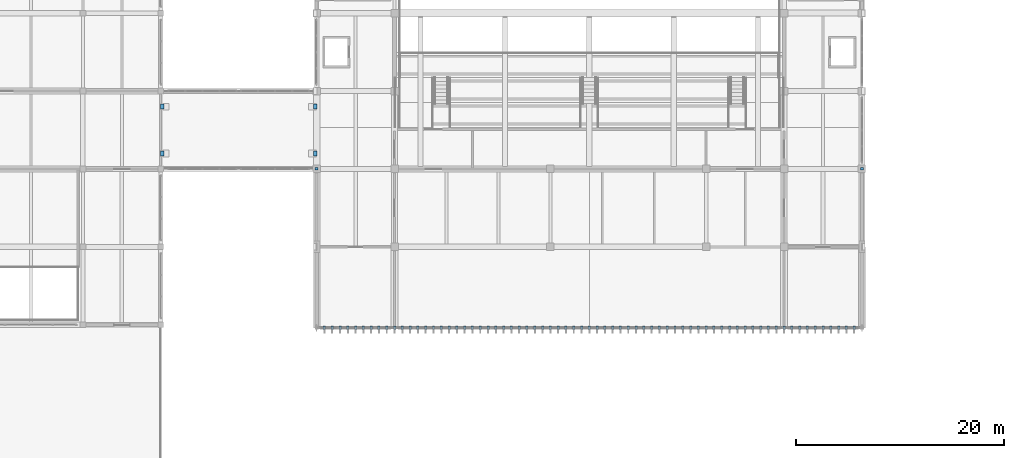
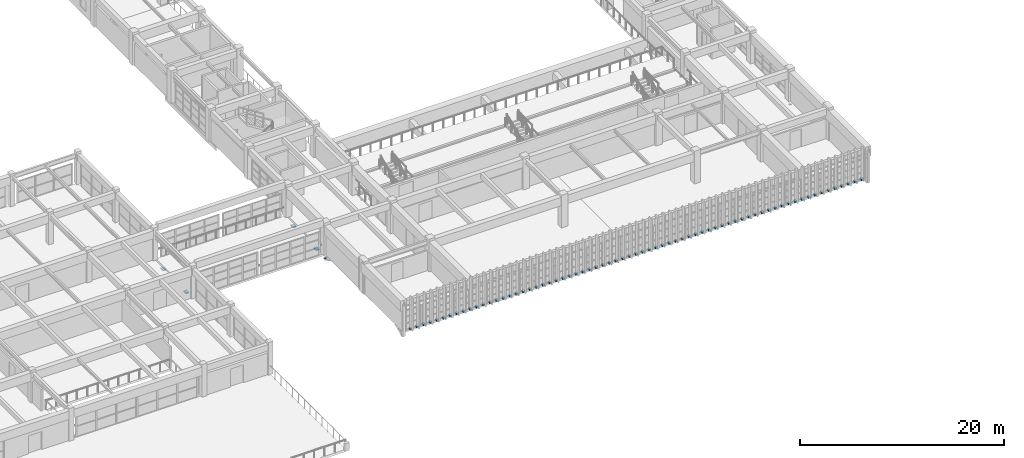
# One storey, part 84 of 101: 75 discrete accessories.
"""IFC4 building model written with IfcOpenShell, lengths in metres."""

import ifcopenshell
import ifcopenshell.guid

model = None  # the IFC model being written
_history = None  # IfcOwnerHistory: only IFC2X3 demands one
_inside = {}  # id of a spatial element -> (the spatial element, [elements in it])
_under = {}  # id of a project, library or spatial element -> (it, [spatial elements below it])
_declared = {}  # id of a project -> (the project, [libraries it declares])
_typed = {}  # id of a type object -> (the type object, [elements of that type])
_made_of = {}  # id of a material, layer set ... -> (it, [elements and type objects made of it])


def new_model(schema):
    """Start an empty IFC model of exactly this schema.

    Asked for "IFC4X3", IfcOpenShell would pick the latest addendum, in which some entities
    have other attributes; the version numbers below select the first issue.
    IFC2X3 requires an IfcOwnerHistory on every rooted entity: one is made here for all.
    """
    global model, _history
    if schema == "IFC4X3":
        model = ifcopenshell.file(schema_version=(4, 3, 0, 0))
    else:
        model = ifcopenshell.file(schema=schema)
    _inside.clear()
    _under.clear()
    _declared.clear()
    _typed.clear()
    _made_of.clear()
    _history = None
    if model.schema == "IFC2X3":
        org = make("IfcOrganization", Name="unknown")
        user = make(
            "IfcPersonAndOrganization",
            ThePerson=make("IfcPerson", FamilyName="unknown"),
            TheOrganization=org,
        )
        app = make(
            "IfcApplication",
            ApplicationDeveloper=org,
            Version="unknown",
            ApplicationFullName="unknown",
            ApplicationIdentifier="unknown",
        )
        _history = make(
            "IfcOwnerHistory",
            OwningUser=user,
            OwningApplication=app,
            ChangeAction="ADDED",
            CreationDate=0,
        )
    return model


def make(cls, **values):
    """One entity of the class cls with the attributes given. An attribute that is None is left unset."""
    return model.create_entity(
        cls, **{name: value for name, value in values.items() if value is not None}
    )


def rooted(cls, **values):
    """An entity with a GlobalId (a new one), such as an element, a storey or a relation."""
    return make(cls, GlobalId=ifcopenshell.guid.new(), OwnerHistory=_history, **values)


def si_unit(unit_type, name, prefix=None):
    """IfcSIUnit, for example si_unit("LENGTHUNIT", "METRE", prefix="MILLI")."""
    return make("IfcSIUnit", UnitType=unit_type, Prefix=prefix, Name=name)


def assignment(units):
    """IfcUnitAssignment: the units of a project."""
    return None if units is None else make("IfcUnitAssignment", Units=units)


def point(xyz):
    """IfcCartesianPoint."""
    return None if xyz is None else make("IfcCartesianPoint", Coordinates=xyz)


def direction(xyz):
    """IfcDirection."""
    return None if xyz is None else make("IfcDirection", DirectionRatios=xyz)


def frame(location, z_axis=None, x_axis=None):
    """IfcAxis2Placement3D, a coordinate frame: its origin and axes. An axis left out is left unset."""
    return make(
        "IfcAxis2Placement3D",
        Location=point(location),
        Axis=direction(z_axis),
        RefDirection=direction(x_axis),
    )


def frame_2d(location, x_axis=None):
    """IfcAxis2Placement2D, a coordinate frame in the plane: its origin and x axis."""
    return make(
        "IfcAxis2Placement2D", Location=point(location), RefDirection=direction(x_axis)
    )


def origin():
    """The frame at (0, 0, 0) with its axes left unset."""
    return frame((0.0, 0.0, 0.0))


def origin_2d():
    """The frame at (0, 0) in the plane with its x axis left unset."""
    return frame_2d((0.0, 0.0))


def place(relative_to, where):
    """IfcLocalPlacement: puts the frame where relative to a parent placement (None: the world)."""
    return make(
        "IfcLocalPlacement", PlacementRelTo=relative_to, RelativePlacement=where
    )


def context(
    kind, dimensions, precision=None, world=None, true_north=None, identifier=None
):
    """IfcGeometricRepresentationContext, for example the 3D "Model" context."""
    return make(
        "IfcGeometricRepresentationContext",
        ContextIdentifier=identifier,
        ContextType=kind,
        CoordinateSpaceDimension=dimensions,
        Precision=precision,
        WorldCoordinateSystem=world,
        TrueNorth=true_north,
    )


def subcontext(parent, identifier, kind, view, scale=None):
    """IfcGeometricRepresentationSubContext, for example "Body" below "Model"."""
    return make(
        "IfcGeometricRepresentationSubContext",
        ContextIdentifier=identifier,
        ContextType=kind,
        ParentContext=parent,
        TargetScale=scale,
        TargetView=view,
    )


def project(units=None, contexts=None):
    """IfcProject with its units and contexts."""
    return rooted(
        "IfcProject",
        Name="project",
        RepresentationContexts=contexts,
        UnitsInContext=assignment(units),
    )


def spatial(cls, under=None, at=None, **own):
    """A site, building, storey or space (cls), placed at a placement, below another one or the project."""
    s = rooted(cls, ObjectPlacement=at, **own)
    if under is not None:
        _under.setdefault(under.id(), (under, []))[1].append(s)
    return s


def profile(cls, at=None, kind="AREA", **sizes):
    """A parametric profile (cls). Its sizes go by their IFC names, for example OverallWidth=200.0."""
    return make(cls, ProfileType=kind, Position=at, **sizes)


def rectangle(**sizes):
    """IfcRectangleProfileDef."""
    return profile("IfcRectangleProfileDef", **sizes)


def extrude(swept, where, along, depth):
    """IfcExtrudedAreaSolid: the profile swept, set in the frame where, extruded along a direction by depth."""
    return make(
        "IfcExtrudedAreaSolid",
        SweptArea=swept,
        Position=where,
        ExtrudedDirection=direction(along),
        Depth=depth,
    )


def shape(context_of_items, identifier, shape_type, items):
    """IfcShapeRepresentation: the items that make up one representation, for example the "Body"."""
    return make(
        "IfcShapeRepresentation",
        ContextOfItems=context_of_items,
        RepresentationIdentifier=identifier,
        RepresentationType=shape_type,
        Items=items,
    )


def material(Name=None, Category=None):
    """IfcMaterial."""
    return make("IfcMaterial", Name=Name, Category=Category)


def made_of(thing, what):
    """Note that an element or type object is made of a material, layer set ...; save() writes the relation."""
    if what is not None:
        _made_of.setdefault(what.id(), (what, []))[1].append(thing)
    return thing


def type_object(cls, material=None, **own):
    """A type object (cls), such as IfcWallType, which elements share."""
    return made_of(rooted(cls, **own), material)


def element(
    cls,
    number,
    at=None,
    inside=None,
    cuts=None,
    type_object=None,
    material=None,
    context=None,
    identifier="Body",
    shape_type=None,
    held_by="IfcProductDefinitionShape",
    body=None,
    shapes=None,
    **own,
):
    """One element of the class cls, such as IfcWall. Its Tag is "e" and its number.

    at: its placement. inside: the storey or other place that contains it. cuts: it is an
    opening in that element (IfcRelVoidsElement). A single representation is given by context,
    identifier, shape_type and body (its items); several are given by shapes. held_by: the class
    of the entity that holds the representations. save() writes the other relations.
    """
    e = rooted(cls, Tag="e%d" % number, ObjectPlacement=at, **own)
    if body is not None:
        shapes = [shape(context, identifier, shape_type, body)]
    if shapes is not None:
        e.Representation = make(held_by, Representations=shapes)
    if inside is not None:
        _inside.setdefault(inside.id(), (inside, []))[1].append(e)
    if cuts is not None:
        rooted(
            "IfcRelVoidsElement", RelatingBuildingElement=cuts, RelatedOpeningElement=e
        )
    if type_object is not None:
        _typed.setdefault(type_object.id(), (type_object, []))[1].append(e)
    return made_of(e, material)


def aggregate(whole, parts):
    """IfcRelAggregates: a whole, such as a stair, and the parts it consists of."""
    return rooted("IfcRelAggregates", RelatingObject=whole, RelatedObjects=parts)


def save(model, path):
    """Write the relations noted so far, then the file.

    IfcRelAggregates (storeys below a building ...), IfcRelContainedInSpatialStructure (elements
    in a storey), IfcRelDefinesByType, IfcRelAssociatesMaterial and IfcRelDeclares: one each for
    every whole, place, type object, material and project.
    """
    for whole, parts in _under.values():
        aggregate(whole, parts)
    for where, things in _inside.values():
        rooted(
            "IfcRelContainedInSpatialStructure",
            RelatedElements=things,
            RelatingStructure=where,
        )
    for kind, things in _typed.values():
        rooted("IfcRelDefinesByType", RelatedObjects=things, RelatingType=kind)
    for what, things in _made_of.values():
        rooted("IfcRelAssociatesMaterial", RelatedObjects=things, RelatingMaterial=what)
    for by, libraries in _declared.values():
        rooted("IfcRelDeclares", RelatingContext=by, RelatedDefinitions=libraries)
    model.write(path)


model = new_model("IFC4")

# Units and contexts
model_context = context("Model", 3, precision=1e-05, world=origin(), true_north=direction((0.0, 1.0)))
body_context = subcontext(model_context, "Body", "Model", "MODEL_VIEW")
ifc_project = project(units=[si_unit("LENGTHUNIT", "METRE"), si_unit("AREAUNIT", "SQUARE_METRE"), si_unit("VOLUMEUNIT", "CUBIC_METRE"), si_unit("PLANEANGLEUNIT", "RADIAN"), si_unit("MASSUNIT", "GRAM", prefix="KILO")], contexts=[model_context])

# Site, building, storey
site_placement = place(None, origin())
site = spatial("IfcSite", under=ifc_project, at=site_placement, CompositionType="ELEMENT")
building_placement = place(site_placement, origin())
building = spatial("IfcBuilding", under=site, at=building_placement, Name="Qasida Concert Hall", CompositionType="ELEMENT")
storey_placement = place(building_placement, frame((0.0, 0.0, 13.199951171875)))
storey = spatial("IfcBuildingStorey", under=building, at=storey_placement, Name="L03", CompositionType="ELEMENT", Elevation=13.199951171875)

# Discrete accessories
ifc_material_1 = material(Name="Steel S355J2", Category="steel")
discrete_accessory_type_1 = type_object("IfcDiscreteAccessoryType", Name="ACC-CONN-S355", PredefinedType="BRACKET", material=ifc_material_1)
for number, where, z_axis, x_axis, name in (
    (1, (52.5, 30.0, -0.61181640625), (0.0, 0.0, 1.0), (1.0, 0.0, 0.0), "Steel brace/strut end connection CN-0004"),
    (2, (105.0, 30.0, -0.61181640625), (0.0, 0.0, 1.0), (1.0, 0.0, 0.0), "Steel brace/strut end connection CN-0010"),
):
    element("IfcDiscreteAccessory", number, at=place(storey_placement, frame(where, z_axis=z_axis, x_axis=x_axis)), inside=storey, type_object=discrete_accessory_type_1, Name=name, PredefinedType="BRACKET", context=body_context, shape_type="SweptSolid", body=[
        extrude(rectangle(XDim=0.280029296875, YDim=0.239990234375, at=origin_2d()), origin(), (0.0, 0.0, 1.0), 0.02392578125),
    ])
ifc_material_2 = material(Name="Stainless steel EN 1.4401", Category="steel")
discrete_accessory_type_2 = type_object("IfcDiscreteAccessoryType", Name="ACC-FIN-BRK", PredefinedType="BRACKET", material=ifc_material_2)
for number, where, z_axis, x_axis, name in (
    (3, (53.25, 14.699951171875, -0.08984375), (0.0, 0.0, 1.0), (1.0, 0.0, 0.0), "Facade fin anchor bracket FB-001"),
    (4, (54.0, 14.699951171875, -0.08984375), (0.0, 0.0, 1.0), (1.0, 0.0, 0.0), "Facade fin anchor bracket FB-002"),
    (5, (54.75, 14.699951171875, -0.08984375), (0.0, 0.0, 1.0), (1.0, 0.0, 0.0), "Facade fin anchor bracket FB-003"),
    (6, (55.5, 14.699951171875, -0.08984375), (0.0, 0.0, 1.0), (1.0, 0.0, 0.0), "Facade fin anchor bracket FB-004"),
    (7, (56.25, 14.699951171875, -0.08984375), (0.0, 0.0, 1.0), (1.0, 0.0, 0.0), "Facade fin anchor bracket FB-005"),
    (8, (57.0, 14.699951171875, -0.08984375), (0.0, 0.0, 1.0), (1.0, 0.0, 0.0), "Facade fin anchor bracket FB-006"),
    (9, (57.75, 14.699951171875, -0.08984375), (0.0, 0.0, 1.0), (1.0, 0.0, 0.0), "Facade fin anchor bracket FB-007"),
    (10, (58.5, 14.699951171875, -0.08984375), (0.0, 0.0, 1.0), (1.0, 0.0, 0.0), "Facade fin anchor bracket FB-008"),
    (11, (59.25, 14.699951171875, -0.08984375), (0.0, 0.0, 1.0), (1.0, 0.0, 0.0), "Facade fin anchor bracket FB-009"),
    (12, (60.0, 14.699951171875, -0.08984375), (0.0, 0.0, 1.0), (1.0, 0.0, 0.0), "Facade fin anchor bracket FB-010"),
    (13, (60.75, 14.699951171875, -0.08984375), (0.0, 0.0, 1.0), (1.0, 0.0, 0.0), "Facade fin anchor bracket FB-011"),
    (14, (61.5, 14.699951171875, -0.08984375), (0.0, 0.0, 1.0), (1.0, 0.0, 0.0), "Facade fin anchor bracket FB-012"),
    (15, (62.25, 14.699951171875, -0.08984375), (0.0, 0.0, 1.0), (1.0, 0.0, 0.0), "Facade fin anchor bracket FB-013"),
    (16, (63.0, 14.699951171875, -0.08984375), (0.0, 0.0, 1.0), (1.0, 0.0, 0.0), "Facade fin anchor bracket FB-014"),
    (17, (63.75, 14.699951171875, -0.08984375), (0.0, 0.0, 1.0), (1.0, 0.0, 0.0), "Facade fin anchor bracket FB-015"),
    (18, (64.5, 14.699951171875, -0.08984375), (0.0, 0.0, 1.0), (1.0, 0.0, 0.0), "Facade fin anchor bracket FB-016"),
    (19, (65.25, 14.699951171875, -0.08984375), (0.0, 0.0, 1.0), (1.0, 0.0, 0.0), "Facade fin anchor bracket FB-017"),
    (20, (66.0, 14.699951171875, -0.08984375), (0.0, 0.0, 1.0), (1.0, 0.0, 0.0), "Facade fin anchor bracket FB-018"),
    (21, (66.75, 14.699951171875, -0.08984375), (0.0, 0.0, 1.0), (1.0, 0.0, 0.0), "Facade fin anchor bracket FB-019"),
    (22, (67.5, 14.699951171875, -0.08984375), (0.0, 0.0, 1.0), (1.0, 0.0, 0.0), "Facade fin anchor bracket FB-020"),
    (23, (68.25, 14.699951171875, -0.08984375), (0.0, 0.0, 1.0), (1.0, 0.0, 0.0), "Facade fin anchor bracket FB-021"),
    (24, (69.0, 14.699951171875, -0.08984375), (0.0, 0.0, 1.0), (1.0, 0.0, 0.0), "Facade fin anchor bracket FB-022"),
    (25, (69.75, 14.699951171875, -0.08984375), (0.0, 0.0, 1.0), (1.0, 0.0, 0.0), "Facade fin anchor bracket FB-023"),
    (26, (70.5, 14.699951171875, -0.08984375), (0.0, 0.0, 1.0), (1.0, 0.0, 0.0), "Facade fin anchor bracket FB-024"),
    (27, (71.25, 14.699951171875, -0.08984375), (0.0, 0.0, 1.0), (1.0, 0.0, 0.0), "Facade fin anchor bracket FB-025"),
    (28, (72.0, 14.699951171875, -0.08984375), (0.0, 0.0, 1.0), (1.0, 0.0, 0.0), "Facade fin anchor bracket FB-026"),
    (29, (72.75, 14.699951171875, -0.08984375), (0.0, 0.0, 1.0), (1.0, 0.0, 0.0), "Facade fin anchor bracket FB-027"),
    (30, (73.5, 14.699951171875, -0.08984375), (0.0, 0.0, 1.0), (1.0, 0.0, 0.0), "Facade fin anchor bracket FB-028"),
    (31, (74.25, 14.699951171875, -0.08984375), (0.0, 0.0, 1.0), (1.0, 0.0, 0.0), "Facade fin anchor bracket FB-029"),
    (32, (75.0, 14.699951171875, -0.08984375), (0.0, 0.0, 1.0), (1.0, 0.0, 0.0), "Facade fin anchor bracket FB-030"),
    (33, (75.75, 14.699951171875, -0.08984375), (0.0, 0.0, 1.0), (1.0, 0.0, 0.0), "Facade fin anchor bracket FB-031"),
    (34, (76.5, 14.699951171875, -0.08984375), (0.0, 0.0, 1.0), (1.0, 0.0, 0.0), "Facade fin anchor bracket FB-032"),
    (35, (77.25, 14.699951171875, -0.08984375), (0.0, 0.0, 1.0), (1.0, 0.0, 0.0), "Facade fin anchor bracket FB-033"),
    (36, (78.0, 14.699951171875, -0.08984375), (0.0, 0.0, 1.0), (1.0, 0.0, 0.0), "Facade fin anchor bracket FB-034"),
    (37, (78.75, 14.699951171875, -0.08984375), (0.0, 0.0, 1.0), (1.0, 0.0, 0.0), "Facade fin anchor bracket FB-035"),
    (38, (79.5, 14.699951171875, -0.08984375), (0.0, 0.0, 1.0), (1.0, 0.0, 0.0), "Facade fin anchor bracket FB-036"),
    (39, (80.25, 14.699951171875, -0.08984375), (0.0, 0.0, 1.0), (1.0, 0.0, 0.0), "Facade fin anchor bracket FB-037"),
    (40, (81.0, 14.699951171875, -0.08984375), (0.0, 0.0, 1.0), (1.0, 0.0, 0.0), "Facade fin anchor bracket FB-038"),
    (41, (81.75, 14.699951171875, -0.08984375), (0.0, 0.0, 1.0), (1.0, 0.0, 0.0), "Facade fin anchor bracket FB-039"),
    (42, (82.5, 14.699951171875, -0.08984375), (0.0, 0.0, 1.0), (1.0, 0.0, 0.0), "Facade fin anchor bracket FB-040"),
    (43, (83.25, 14.699951171875, -0.08984375), (0.0, 0.0, 1.0), (1.0, 0.0, 0.0), "Facade fin anchor bracket FB-041"),
    (44, (84.0, 14.699951171875, -0.08984375), (0.0, 0.0, 1.0), (1.0, 0.0, 0.0), "Facade fin anchor bracket FB-042"),
    (45, (84.75, 14.699951171875, -0.08984375), (0.0, 0.0, 1.0), (1.0, 0.0, 0.0), "Facade fin anchor bracket FB-043"),
    (46, (85.5, 14.699951171875, -0.08984375), (0.0, 0.0, 1.0), (1.0, 0.0, 0.0), "Facade fin anchor bracket FB-044"),
    (47, (86.25, 14.699951171875, -0.08984375), (0.0, 0.0, 1.0), (1.0, 0.0, 0.0), "Facade fin anchor bracket FB-045"),
    (48, (87.0, 14.699951171875, -0.08984375), (0.0, 0.0, 1.0), (1.0, 0.0, 0.0), "Facade fin anchor bracket FB-046"),
    (49, (87.75, 14.699951171875, -0.08984375), (0.0, 0.0, 1.0), (1.0, 0.0, 0.0), "Facade fin anchor bracket FB-047"),
    (50, (88.5, 14.699951171875, -0.08984375), (0.0, 0.0, 1.0), (1.0, 0.0, 0.0), "Facade fin anchor bracket FB-048"),
    (51, (89.25, 14.699951171875, -0.08984375), (0.0, 0.0, 1.0), (1.0, 0.0, 0.0), "Facade fin anchor bracket FB-049"),
    (52, (90.0, 14.699951171875, -0.08984375), (0.0, 0.0, 1.0), (1.0, 0.0, 0.0), "Facade fin anchor bracket FB-050"),
    (53, (90.75, 14.699951171875, -0.08984375), (0.0, 0.0, 1.0), (1.0, 0.0, 0.0), "Facade fin anchor bracket FB-051"),
    (54, (91.5, 14.699951171875, -0.08984375), (0.0, 0.0, 1.0), (1.0, 0.0, 0.0), "Facade fin anchor bracket FB-052"),
    (55, (92.25, 14.699951171875, -0.08984375), (0.0, 0.0, 1.0), (1.0, 0.0, 0.0), "Facade fin anchor bracket FB-053"),
    (56, (93.0, 14.699951171875, -0.08984375), (0.0, 0.0, 1.0), (1.0, 0.0, 0.0), "Facade fin anchor bracket FB-054"),
    (57, (93.75, 14.699951171875, -0.08984375), (0.0, 0.0, 1.0), (1.0, 0.0, 0.0), "Facade fin anchor bracket FB-055"),
    (58, (94.5, 14.699951171875, -0.08984375), (0.0, 0.0, 1.0), (1.0, 0.0, 0.0), "Facade fin anchor bracket FB-056"),
    (59, (95.25, 14.699951171875, -0.08984375), (0.0, 0.0, 1.0), (1.0, 0.0, 0.0), "Facade fin anchor bracket FB-057"),
    (60, (96.0, 14.699951171875, -0.08984375), (0.0, 0.0, 1.0), (1.0, 0.0, 0.0), "Facade fin anchor bracket FB-058"),
    (61, (96.75, 14.699951171875, -0.08984375), (0.0, 0.0, 1.0), (1.0, 0.0, 0.0), "Facade fin anchor bracket FB-059"),
    (62, (97.5, 14.699951171875, -0.08984375), (0.0, 0.0, 1.0), (1.0, 0.0, 0.0), "Facade fin anchor bracket FB-060"),
    (63, (98.25, 14.699951171875, -0.08984375), (0.0, 0.0, 1.0), (1.0, 0.0, 0.0), "Facade fin anchor bracket FB-061"),
    (64, (99.0, 14.699951171875, -0.08984375), (0.0, 0.0, 1.0), (1.0, 0.0, 0.0), "Facade fin anchor bracket FB-062"),
    (65, (99.75, 14.699951171875, -0.08984375), (0.0, 0.0, 1.0), (1.0, 0.0, 0.0), "Facade fin anchor bracket FB-063"),
    (66, (100.5, 14.699951171875, -0.08984375), (0.0, 0.0, 1.0), (1.0, 0.0, 0.0), "Facade fin anchor bracket FB-064"),
    (67, (101.25, 14.699951171875, -0.08984375), (0.0, 0.0, 1.0), (1.0, 0.0, 0.0), "Facade fin anchor bracket FB-065"),
    (68, (102.0, 14.699951171875, -0.08984375), (0.0, 0.0, 1.0), (1.0, 0.0, 0.0), "Facade fin anchor bracket FB-066"),
    (69, (102.75, 14.699951171875, -0.08984375), (0.0, 0.0, 1.0), (1.0, 0.0, 0.0), "Facade fin anchor bracket FB-067"),
    (70, (103.5, 14.699951171875, -0.08984375), (0.0, 0.0, 1.0), (1.0, 0.0, 0.0), "Facade fin anchor bracket FB-068"),
    (71, (104.25, 14.699951171875, -0.08984375), (0.0, 0.0, 1.0), (1.0, 0.0, 0.0), "Facade fin anchor bracket FB-069"),
):
    element("IfcDiscreteAccessory", number, at=place(storey_placement, frame(where, z_axis=z_axis, x_axis=x_axis)), inside=storey, type_object=discrete_accessory_type_2, Name=name, PredefinedType="BRACKET", context=body_context, shape_type="SweptSolid", body=[
        extrude(rectangle(XDim=0.239990234375, YDim=0.320068359375, at=origin_2d()), origin(), (0.0, 0.0, 1.0), 0.179931640625),
    ])
discrete_accessory_type_3 = type_object("IfcDiscreteAccessoryType", Name="ACC-PTFE-SLIDE", PredefinedType="BRACKET", material=ifc_material_1)
for number, where, z_axis, x_axis, name in (
    (72, (37.64990234375, 31.5, -0.39990234375), (0.0, 0.0, 1.0), (1.0, 0.0, 0.0), "Seismic sliding bearing SB-PTFE-013"),
    (73, (37.64990234375, 36.0, -0.39990234375), (0.0, 0.0, 1.0), (1.0, 0.0, 0.0), "Seismic sliding bearing SB-PTFE-014"),
    (74, (52.35009765625, 31.5, -0.39990234375), (0.0, 0.0, 1.0), (1.0, 0.0, 0.0), "Seismic sliding bearing SB-PTFE-015"),
    (75, (52.35009765625, 36.0, -0.39990234375), (0.0, 0.0, 1.0), (1.0, 0.0, 0.0), "Seismic sliding bearing SB-PTFE-016"),
):
    element("IfcDiscreteAccessory", number, at=place(storey_placement, frame(where, z_axis=z_axis, x_axis=x_axis)), inside=storey, type_object=discrete_accessory_type_3, Name=name, PredefinedType="BRACKET", context=body_context, shape_type="SweptSolid", body=[
        extrude(rectangle(XDim=0.35009765625, YDim=0.5, at=origin_2d()), origin(), (0.0, 0.0, 1.0), 0.1201171875),
    ])

save(model, "model.ifc")
